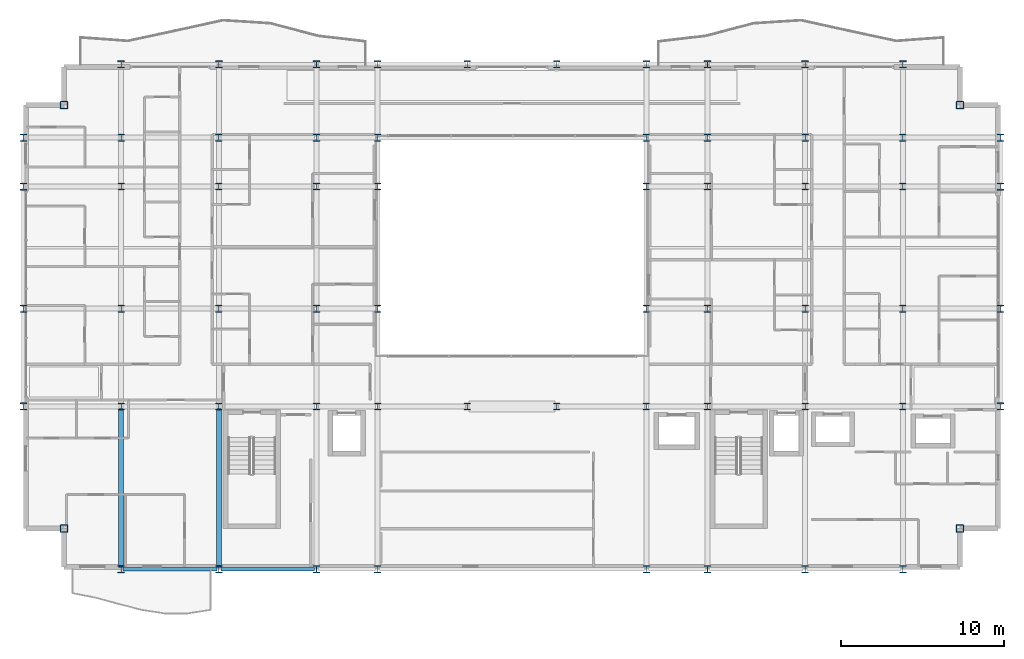
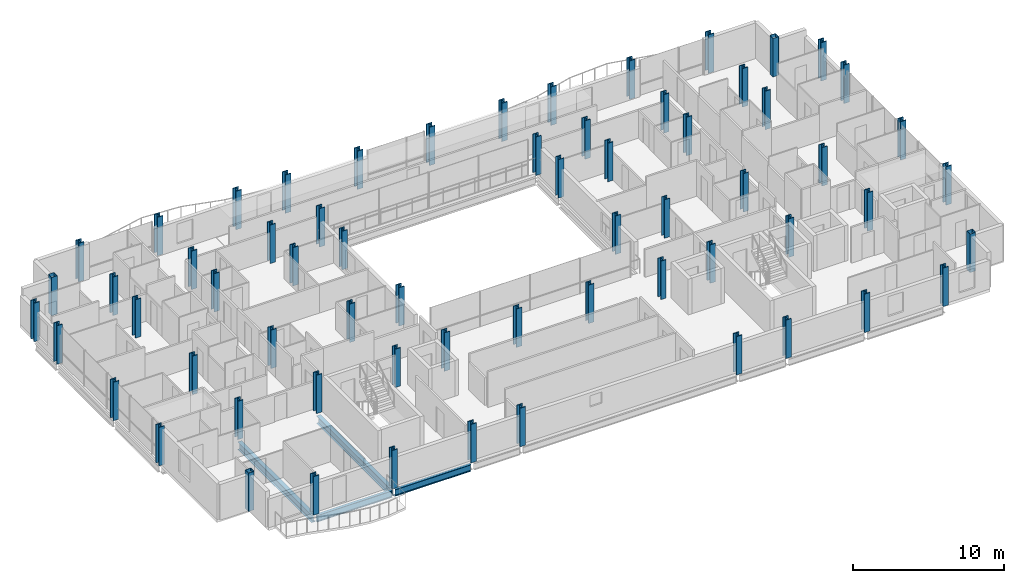
# One storey, part 1 of 41: 64 columns, 4 beams.
"""IFC4 building model written with IfcOpenShell, lengths in metres."""

import ifcopenshell
import ifcopenshell.guid

model = None  # the IFC model being written
_history = None  # IfcOwnerHistory: only IFC2X3 demands one
_inside = {}  # id of a spatial element -> (the spatial element, [elements in it])
_under = {}  # id of a project, library or spatial element -> (it, [spatial elements below it])
_declared = {}  # id of a project -> (the project, [libraries it declares])
_typed = {}  # id of a type object -> (the type object, [elements of that type])
_made_of = {}  # id of a material, layer set ... -> (it, [elements and type objects made of it])


def new_model(schema):
    """Start an empty IFC model of exactly this schema.

    Asked for "IFC4X3", IfcOpenShell would pick the latest addendum, in which some entities
    have other attributes; the version numbers below select the first issue.
    IFC2X3 requires an IfcOwnerHistory on every rooted entity: one is made here for all.
    """
    global model, _history
    if schema == "IFC4X3":
        model = ifcopenshell.file(schema_version=(4, 3, 0, 0))
    else:
        model = ifcopenshell.file(schema=schema)
    _inside.clear()
    _under.clear()
    _declared.clear()
    _typed.clear()
    _made_of.clear()
    _history = None
    if model.schema == "IFC2X3":
        org = make("IfcOrganization", Name="unknown")
        user = make(
            "IfcPersonAndOrganization",
            ThePerson=make("IfcPerson", FamilyName="unknown"),
            TheOrganization=org,
        )
        app = make(
            "IfcApplication",
            ApplicationDeveloper=org,
            Version="unknown",
            ApplicationFullName="unknown",
            ApplicationIdentifier="unknown",
        )
        _history = make(
            "IfcOwnerHistory",
            OwningUser=user,
            OwningApplication=app,
            ChangeAction="ADDED",
            CreationDate=0,
        )
    return model


def make(cls, **values):
    """One entity of the class cls with the attributes given. An attribute that is None is left unset."""
    return model.create_entity(
        cls, **{name: value for name, value in values.items() if value is not None}
    )


def rooted(cls, **values):
    """An entity with a GlobalId (a new one), such as an element, a storey or a relation."""
    return make(cls, GlobalId=ifcopenshell.guid.new(), OwnerHistory=_history, **values)


def si_unit(unit_type, name, prefix=None):
    """IfcSIUnit, for example si_unit("LENGTHUNIT", "METRE", prefix="MILLI")."""
    return make("IfcSIUnit", UnitType=unit_type, Prefix=prefix, Name=name)


def assignment(units):
    """IfcUnitAssignment: the units of a project."""
    return None if units is None else make("IfcUnitAssignment", Units=units)


def point(xyz):
    """IfcCartesianPoint."""
    return None if xyz is None else make("IfcCartesianPoint", Coordinates=xyz)


def direction(xyz):
    """IfcDirection."""
    return None if xyz is None else make("IfcDirection", DirectionRatios=xyz)


def frame(location, z_axis=None, x_axis=None):
    """IfcAxis2Placement3D, a coordinate frame: its origin and axes. An axis left out is left unset."""
    return make(
        "IfcAxis2Placement3D",
        Location=point(location),
        Axis=direction(z_axis),
        RefDirection=direction(x_axis),
    )


def frame_2d(location, x_axis=None):
    """IfcAxis2Placement2D, a coordinate frame in the plane: its origin and x axis."""
    return make(
        "IfcAxis2Placement2D", Location=point(location), RefDirection=direction(x_axis)
    )


def origin():
    """The frame at (0, 0, 0) with its axes left unset."""
    return frame((0.0, 0.0, 0.0))


def origin_2d():
    """The frame at (0, 0) in the plane with its x axis left unset."""
    return frame_2d((0.0, 0.0))


def place(relative_to, where):
    """IfcLocalPlacement: puts the frame where relative to a parent placement (None: the world)."""
    return make(
        "IfcLocalPlacement", PlacementRelTo=relative_to, RelativePlacement=where
    )


def context(
    kind, dimensions, precision=None, world=None, true_north=None, identifier=None
):
    """IfcGeometricRepresentationContext, for example the 3D "Model" context."""
    return make(
        "IfcGeometricRepresentationContext",
        ContextIdentifier=identifier,
        ContextType=kind,
        CoordinateSpaceDimension=dimensions,
        Precision=precision,
        WorldCoordinateSystem=world,
        TrueNorth=true_north,
    )


def subcontext(parent, identifier, kind, view, scale=None):
    """IfcGeometricRepresentationSubContext, for example "Body" below "Model"."""
    return make(
        "IfcGeometricRepresentationSubContext",
        ContextIdentifier=identifier,
        ContextType=kind,
        ParentContext=parent,
        TargetScale=scale,
        TargetView=view,
    )


def project(units=None, contexts=None):
    """IfcProject with its units and contexts."""
    return rooted(
        "IfcProject",
        Name="project",
        RepresentationContexts=contexts,
        UnitsInContext=assignment(units),
    )


def spatial(cls, under=None, at=None, **own):
    """A site, building, storey or space (cls), placed at a placement, below another one or the project."""
    s = rooted(cls, ObjectPlacement=at, **own)
    if under is not None:
        _under.setdefault(under.id(), (under, []))[1].append(s)
    return s


def profile(cls, at=None, kind="AREA", **sizes):
    """A parametric profile (cls). Its sizes go by their IFC names, for example OverallWidth=200.0."""
    return make(cls, ProfileType=kind, Position=at, **sizes)


def hollow_rectangle(**sizes):
    """IfcRectangleHollowProfileDef."""
    return profile("IfcRectangleHollowProfileDef", **sizes)


def i_section(**sizes):
    """IfcIShapeProfileDef."""
    return profile("IfcIShapeProfileDef", **sizes)


def extrude(swept, where, along, depth):
    """IfcExtrudedAreaSolid: the profile swept, set in the frame where, extruded along a direction by depth."""
    return make(
        "IfcExtrudedAreaSolid",
        SweptArea=swept,
        Position=where,
        ExtrudedDirection=direction(along),
        Depth=depth,
    )


def shape(context_of_items, identifier, shape_type, items):
    """IfcShapeRepresentation: the items that make up one representation, for example the "Body"."""
    return make(
        "IfcShapeRepresentation",
        ContextOfItems=context_of_items,
        RepresentationIdentifier=identifier,
        RepresentationType=shape_type,
        Items=items,
    )


def material(Name=None, Category=None):
    """IfcMaterial."""
    return make("IfcMaterial", Name=Name, Category=Category)


def material_profile(
    of_material, cross_section, Name=None, Category=None, Priority=None
):
    """IfcMaterialProfile: a cross section and its material."""
    return make(
        "IfcMaterialProfile",
        Name=Name,
        Material=of_material,
        Profile=cross_section,
        Priority=Priority,
        Category=Category,
    )


def profile_set(profiles, Name=None, composite=None):
    """IfcMaterialProfileSet."""
    return make(
        "IfcMaterialProfileSet",
        Name=Name,
        MaterialProfiles=profiles,
        CompositeProfile=composite,
    )


def made_of(thing, what):
    """Note that an element or type object is made of a material, layer set ...; save() writes the relation."""
    if what is not None:
        _made_of.setdefault(what.id(), (what, []))[1].append(thing)
    return thing


def type_object(cls, material=None, **own):
    """A type object (cls), such as IfcWallType, which elements share."""
    return made_of(rooted(cls, **own), material)


def element(
    cls,
    number,
    at=None,
    inside=None,
    cuts=None,
    type_object=None,
    material=None,
    context=None,
    identifier="Body",
    shape_type=None,
    held_by="IfcProductDefinitionShape",
    body=None,
    shapes=None,
    **own,
):
    """One element of the class cls, such as IfcWall. Its Tag is "e" and its number.

    at: its placement. inside: the storey or other place that contains it. cuts: it is an
    opening in that element (IfcRelVoidsElement). A single representation is given by context,
    identifier, shape_type and body (its items); several are given by shapes. held_by: the class
    of the entity that holds the representations. save() writes the other relations.
    """
    e = rooted(cls, Tag="e%d" % number, ObjectPlacement=at, **own)
    if body is not None:
        shapes = [shape(context, identifier, shape_type, body)]
    if shapes is not None:
        e.Representation = make(held_by, Representations=shapes)
    if inside is not None:
        _inside.setdefault(inside.id(), (inside, []))[1].append(e)
    if cuts is not None:
        rooted(
            "IfcRelVoidsElement", RelatingBuildingElement=cuts, RelatedOpeningElement=e
        )
    if type_object is not None:
        _typed.setdefault(type_object.id(), (type_object, []))[1].append(e)
    return made_of(e, material)


def aggregate(whole, parts):
    """IfcRelAggregates: a whole, such as a stair, and the parts it consists of."""
    return rooted("IfcRelAggregates", RelatingObject=whole, RelatedObjects=parts)


def save(model, path):
    """Write the relations noted so far, then the file.

    IfcRelAggregates (storeys below a building ...), IfcRelContainedInSpatialStructure (elements
    in a storey), IfcRelDefinesByType, IfcRelAssociatesMaterial and IfcRelDeclares: one each for
    every whole, place, type object, material and project.
    """
    for whole, parts in _under.values():
        aggregate(whole, parts)
    for where, things in _inside.values():
        rooted(
            "IfcRelContainedInSpatialStructure",
            RelatedElements=things,
            RelatingStructure=where,
        )
    for kind, things in _typed.values():
        rooted("IfcRelDefinesByType", RelatedObjects=things, RelatingType=kind)
    for what, things in _made_of.values():
        rooted("IfcRelAssociatesMaterial", RelatedObjects=things, RelatingMaterial=what)
    for by, libraries in _declared.values():
        rooted("IfcRelDeclares", RelatingContext=by, RelatedDefinitions=libraries)
    model.write(path)


model = new_model("IFC4")

# Units and contexts
model_context = context("Model", 3, precision=1e-05, world=origin(), true_north=direction((0.0, 1.0)))
body_context = subcontext(model_context, "Body", "Model", "MODEL_VIEW")
ifc_project = project(units=[si_unit("LENGTHUNIT", "METRE"), si_unit("AREAUNIT", "SQUARE_METRE"), si_unit("VOLUMEUNIT", "CUBIC_METRE"), si_unit("PLANEANGLEUNIT", "RADIAN"), si_unit("MASSUNIT", "GRAM", prefix="KILO")], contexts=[model_context])

# Site, building, storey
site_placement = place(None, origin())
site = spatial("IfcSite", under=ifc_project, at=site_placement, CompositionType="ELEMENT")
building_placement = place(site_placement, origin())
building = spatial("IfcBuilding", under=site, at=building_placement, Name="Brevholm Reach", CompositionType="ELEMENT")
storey_placement = place(building_placement, frame((0.0, 0.0, 86.89990234375)))
storey = spatial("IfcBuildingStorey", under=building, at=storey_placement, Name="L25", CompositionType="ELEMENT", Elevation=86.89990234375)

# Columns
ifc_material_1 = material(Name="Structural Steel S460NH", Category="steel")
ifc_material_profile_1 = material_profile(ifc_material_1, hollow_rectangle(XDim=0.449951171875, YDim=0.449951171875, WallThickness=0.02490234375, InnerFilletRadius=0.011962890625, OuterFilletRadius=0.02392578125, at=origin_2d()), Name="SHS 450x450x25")
ifc_profile_set_1 = profile_set([ifc_material_profile_1], Name="Structural Steel S460NH")
column_type_1 = type_object("IfcColumnType", Name="COL-SHS1", PredefinedType="COLUMN", material=ifc_profile_set_1)
for number, where, z_axis, x_axis, name in (
    (1, (2.5, 2.5, 0.0), (0.0, 0.0, 1.0), (1.0, 0.0, 0.0), "L25 Column 05"),
    (2, (2.5, 28.5, 0.0), (0.0, 0.0, 1.0), (1.0, 0.0, 0.0), "L25 Column 06"),
    (3, (57.5, 2.5, 0.0), (0.0, 0.0, 1.0), (1.0, 0.0, 0.0), "L25 Column 59"),
    (4, (57.5, 28.5, 0.0), (0.0, 0.0, 1.0), (1.0, 0.0, 0.0), "L25 Column 60"),
):
    element("IfcColumn", number, at=place(storey_placement, frame(where, z_axis=z_axis, x_axis=x_axis)), inside=storey, type_object=column_type_1, Name=name, PredefinedType="COLUMN", context=body_context, shape_type="SweptSolid", body=[
        extrude(hollow_rectangle(XDim=0.449951171875, YDim=0.449951171875, WallThickness=0.02490234375, InnerFilletRadius=0.011962890625, OuterFilletRadius=0.02392578125, at=origin_2d()), origin(), (0.0, 0.0, 1.0), 3.10009765625),
    ])
ifc_material_2 = material(Name="Structural Steel S460ML", Category="steel")
ifc_material_profile_2 = material_profile(ifc_material_2, i_section(OverallWidth=0.41845703125, OverallDepth=0.45556640625, WebThickness=0.0419921875, FlangeThickness=0.0673828125, FilletRadius=0.01513671875, at=origin_2d()), Name="UKC 356x406x551")
ifc_profile_set_2 = profile_set([ifc_material_profile_2], Name="Structural Steel S460ML")
column_type_2 = type_object("IfcColumnType", Name="COL-UC2", PredefinedType="COLUMN", material=ifc_profile_set_2)
for number, where, z_axis, x_axis, name in (
    (5, (0.0, 10.0, 0.0), (0.0, 0.0, 1.0), (1.0, 0.0, 0.0), "L25 Column 01"),
    (6, (0.0, 16.0, 0.0), (0.0, 0.0, 1.0), (1.0, 0.0, 0.0), "L25 Column 02"),
    (7, (0.0, 23.5, 0.0), (0.0, 0.0, 1.0), (1.0, 0.0, 0.0), "L25 Column 03"),
    (8, (0.0, 26.5, 0.0), (0.0, 0.0, 1.0), (1.0, 0.0, 0.0), "L25 Column 04"),
    (9, (6.0, 0.0, 0.0), (0.0, 0.0, 1.0), (1.0, 0.0, 0.0), "L25 Column 07"),
    (10, (6.0, 31.0, 0.0), (0.0, 0.0, 1.0), (1.0, 0.0, 0.0), "L25 Column 12"),
    (11, (12.0, 0.0, 0.0), (0.0, 0.0, 1.0), (1.0, 0.0, 0.0), "L25 Column 13"),
    (12, (12.0, 31.0, 0.0), (0.0, 0.0, 1.0), (1.0, 0.0, 0.0), "L25 Column 18"),
    (13, (18.0, 0.0, 0.0), (0.0, 0.0, 1.0), (1.0, 0.0, 0.0), "L25 Column 19"),
    (14, (18.0, 31.0, 0.0), (0.0, 0.0, 1.0), (1.0, 0.0, 0.0), "L25 Column 24"),
    (15, (21.75, 0.0, 0.0), (0.0, 0.0, 1.0), (1.0, 0.0, 0.0), "L25 Column 25"),
    (16, (21.75, 31.0, 0.0), (0.0, 0.0, 1.0), (1.0, 0.0, 0.0), "L25 Column 30"),
    (17, (27.25, 31.0, 0.0), (0.0, 0.0, 1.0), (1.0, 0.0, 0.0), "L25 Column 32"),
    (18, (32.75, 31.0, 0.0), (0.0, 0.0, 1.0), (1.0, 0.0, 0.0), "L25 Column 34"),
    (19, (38.25, 0.0, 0.0), (0.0, 0.0, 1.0), (1.0, 0.0, 0.0), "L25 Column 35"),
    (20, (38.25, 31.0, 0.0), (0.0, 0.0, 1.0), (1.0, 0.0, 0.0), "L25 Column 40"),
    (21, (42.0, 0.0, 0.0), (0.0, 0.0, 1.0), (1.0, 0.0, 0.0), "L25 Column 41"),
    (22, (42.0, 31.0, 0.0), (0.0, 0.0, 1.0), (1.0, 0.0, 0.0), "L25 Column 46"),
    (23, (48.0, 0.0, 0.0), (0.0, 0.0, 1.0), (1.0, 0.0, 0.0), "L25 Column 47"),
    (24, (48.0, 31.0, 0.0), (0.0, 0.0, 1.0), (1.0, 0.0, 0.0), "L25 Column 52"),
    (25, (54.0, 0.0, 0.0), (0.0, 0.0, 1.0), (1.0, 0.0, 0.0), "L25 Column 53"),
    (26, (54.0, 31.0, 0.0), (0.0, 0.0, 1.0), (1.0, 0.0, 0.0), "L25 Column 58"),
    (27, (60.0, 10.0, 0.0), (0.0, 0.0, 1.0), (1.0, 0.0, 0.0), "L25 Column 61"),
    (28, (60.0, 16.0, 0.0), (0.0, 0.0, 1.0), (1.0, 0.0, 0.0), "L25 Column 62"),
    (29, (60.0, 23.5, 0.0), (0.0, 0.0, 1.0), (1.0, 0.0, 0.0), "L25 Column 63"),
    (30, (60.0, 26.5, 0.0), (0.0, 0.0, 1.0), (1.0, 0.0, 0.0), "L25 Column 64"),
):
    element("IfcColumn", number, at=place(storey_placement, frame(where, z_axis=z_axis, x_axis=x_axis)), inside=storey, type_object=column_type_2, Name=name, PredefinedType="COLUMN", context=body_context, shape_type="SweptSolid", body=[
        extrude(i_section(OverallWidth=0.41845703125, OverallDepth=0.45556640625, WebThickness=0.0419921875, FlangeThickness=0.0673828125, FilletRadius=0.01513671875, at=origin_2d()), origin(), (0.0, 0.0, 1.0), 3.10009765625),
    ])
ifc_material_3 = material(Name="Structural Steel S460ML", Category="steel")
ifc_material_profile_3 = material_profile(ifc_material_3, i_section(OverallWidth=0.412109375, OverallDepth=0.4365234375, WebThickness=0.035888671875, FlangeThickness=0.05810546875, FilletRadius=0.01513671875, at=origin_2d()), Name="UKC 356x406x467")
ifc_profile_set_3 = profile_set([ifc_material_profile_3], Name="Structural Steel S460ML")
column_type_3 = type_object("IfcColumnType", Name="COL-UC3", PredefinedType="COLUMN", material=ifc_profile_set_3)
for number, where, z_axis, x_axis, name in (
    (31, (6.0, 10.0, 0.0), (0.0, 0.0, 1.0), (1.0, 0.0, 0.0), "L25 Column 08"),
    (32, (6.0, 16.0, 0.0), (0.0, 0.0, 1.0), (1.0, 0.0, 0.0), "L25 Column 09"),
    (33, (6.0, 23.5, 0.0), (0.0, 0.0, 1.0), (1.0, 0.0, 0.0), "L25 Column 10"),
    (34, (6.0, 26.5, 0.0), (0.0, 0.0, 1.0), (1.0, 0.0, 0.0), "L25 Column 11"),
    (35, (12.0, 10.0, 0.0), (0.0, 0.0, 1.0), (1.0, 0.0, 0.0), "L25 Column 14"),
    (36, (12.0, 16.0, 0.0), (0.0, 0.0, 1.0), (1.0, 0.0, 0.0), "L25 Column 15"),
    (37, (12.0, 23.5, 0.0), (0.0, 0.0, 1.0), (1.0, 0.0, 0.0), "L25 Column 16"),
    (38, (12.0, 26.5, 0.0), (0.0, 0.0, 1.0), (1.0, 0.0, 0.0), "L25 Column 17"),
    (39, (18.0, 10.0, 0.0), (0.0, 0.0, 1.0), (1.0, 0.0, 0.0), "L25 Column 20"),
    (40, (18.0, 16.0, 0.0), (0.0, 0.0, 1.0), (1.0, 0.0, 0.0), "L25 Column 21"),
    (41, (18.0, 23.5, 0.0), (0.0, 0.0, 1.0), (1.0, 0.0, 0.0), "L25 Column 22"),
    (42, (18.0, 26.5, 0.0), (0.0, 0.0, 1.0), (1.0, 0.0, 0.0), "L25 Column 23"),
    (43, (21.75, 10.0, 0.0), (0.0, 0.0, 1.0), (1.0, 0.0, 0.0), "L25 Column 26"),
    (44, (21.75, 16.0, 0.0), (0.0, 0.0, 1.0), (1.0, 0.0, 0.0), "L25 Column 27"),
    (45, (21.75, 23.5, 0.0), (0.0, 0.0, 1.0), (1.0, 0.0, 0.0), "L25 Column 28"),
    (46, (21.75, 26.5, 0.0), (0.0, 0.0, 1.0), (1.0, 0.0, 0.0), "L25 Column 29"),
    (47, (27.25, 10.0, 0.0), (0.0, 0.0, 1.0), (1.0, 0.0, 0.0), "L25 Column 31"),
    (48, (32.75, 10.0, 0.0), (0.0, 0.0, 1.0), (1.0, 0.0, 0.0), "L25 Column 33"),
    (49, (38.25, 10.0, 0.0), (0.0, 0.0, 1.0), (1.0, 0.0, 0.0), "L25 Column 36"),
    (50, (38.25, 16.0, 0.0), (0.0, 0.0, 1.0), (1.0, 0.0, 0.0), "L25 Column 37"),
    (51, (38.25, 23.5, 0.0), (0.0, 0.0, 1.0), (1.0, 0.0, 0.0), "L25 Column 38"),
    (52, (38.25, 26.5, 0.0), (0.0, 0.0, 1.0), (1.0, 0.0, 0.0), "L25 Column 39"),
    (53, (42.0, 10.0, 0.0), (0.0, 0.0, 1.0), (1.0, 0.0, 0.0), "L25 Column 42"),
    (54, (42.0, 16.0, 0.0), (0.0, 0.0, 1.0), (1.0, 0.0, 0.0), "L25 Column 43"),
    (55, (42.0, 23.5, 0.0), (0.0, 0.0, 1.0), (1.0, 0.0, 0.0), "L25 Column 44"),
    (56, (42.0, 26.5, 0.0), (0.0, 0.0, 1.0), (1.0, 0.0, 0.0), "L25 Column 45"),
    (57, (48.0, 10.0, 0.0), (0.0, 0.0, 1.0), (1.0, 0.0, 0.0), "L25 Column 48"),
    (58, (48.0, 16.0, 0.0), (0.0, 0.0, 1.0), (1.0, 0.0, 0.0), "L25 Column 49"),
    (59, (48.0, 23.5, 0.0), (0.0, 0.0, 1.0), (1.0, 0.0, 0.0), "L25 Column 50"),
    (60, (48.0, 26.5, 0.0), (0.0, 0.0, 1.0), (1.0, 0.0, 0.0), "L25 Column 51"),
    (61, (54.0, 10.0, 0.0), (0.0, 0.0, 1.0), (1.0, 0.0, 0.0), "L25 Column 54"),
    (62, (54.0, 16.0, 0.0), (0.0, 0.0, 1.0), (1.0, 0.0, 0.0), "L25 Column 55"),
    (63, (54.0, 23.5, 0.0), (0.0, 0.0, 1.0), (1.0, 0.0, 0.0), "L25 Column 56"),
    (64, (54.0, 26.5, 0.0), (0.0, 0.0, 1.0), (1.0, 0.0, 0.0), "L25 Column 57"),
):
    element("IfcColumn", number, at=place(storey_placement, frame(where, z_axis=z_axis, x_axis=x_axis)), inside=storey, type_object=column_type_3, Name=name, PredefinedType="COLUMN", context=body_context, shape_type="SweptSolid", body=[
        extrude(i_section(OverallWidth=0.412109375, OverallDepth=0.4365234375, WebThickness=0.035888671875, FlangeThickness=0.05810546875, FilletRadius=0.01513671875, at=origin_2d()), origin(), (0.0, 0.0, 1.0), 3.10009765625),
    ])

# Beams
ifc_material_4 = material(Name="Structural Steel S355J2", Category="steel")
ifc_material_profile_4 = material_profile(ifc_material_4, i_section(OverallWidth=0.210693359375, OverallDepth=0.53955078125, WebThickness=0.01171875, FlangeThickness=0.018798828125, FilletRadius=0.0126953125, at=origin_2d()), Name="UKB 533x210x109")
ifc_profile_set_4 = profile_set([ifc_material_profile_4], Name="Structural Steel S355J2")
beam_type_1 = type_object("IfcBeamType", Name="BM-SP539", PredefinedType="SPANDREL", material=ifc_profile_set_4)
for number, where, z_axis, x_axis, name in (
    (65, (6.1201171875, 0.0, -0.499755859375), (1.0, 0.0, 0.0), (0.0, 1.0, 0.0), "L25 SP-01B Framing Beam"),
    (66, (12.1201171875, 0.0, -0.499755859375), (1.0, 0.0, 0.0), (0.0, 1.0, 0.0), "L25 SP-01B Framing Beam"),
):
    element("IfcBeam", number, at=place(storey_placement, frame(where, z_axis=z_axis, x_axis=x_axis)), inside=storey, type_object=beam_type_1, Name=name, PredefinedType="SPANDREL", context=body_context, shape_type="SweptSolid", body=[
        extrude(i_section(OverallWidth=0.210693359375, OverallDepth=0.53955078125, WebThickness=0.01171875, FlangeThickness=0.018798828125, FilletRadius=0.0126953125, at=origin_2d()), origin(), (0.0, 0.0, 1.0), 5.759765625),
    ])
ifc_material_5 = material(Name="Structural Steel S355J2", Category="steel")
ifc_material_profile_5 = material_profile(ifc_material_5, i_section(OverallWidth=0.30712890625, OverallDepth=0.6201171875, WebThickness=0.01416015625, FlangeThickness=0.023681640625, FilletRadius=0.0166015625, at=origin_2d()), Name="UKB 610x305x179")
ifc_profile_set_5 = profile_set([ifc_material_profile_5], Name="Structural Steel S355J2")
beam_type_2 = type_object("IfcBeamType", Name="BM-UKB610H", PredefinedType="USERDEFINED", material=ifc_profile_set_5)
for number, where, z_axis, x_axis, name in (
    (67, (6.0, 0.1201171875, -0.5400390625), (0.0, 1.0, 0.0), (-1.0, 0.0, 0.0), "L25 G-06 Framing Beam"),
    (68, (12.0, 0.1201171875, -0.5400390625), (0.0, 1.0, 0.0), (-1.0, 0.0, 0.0), "L25 G-06 Framing Beam"),
):
    element("IfcBeam", number, at=place(storey_placement, frame(where, z_axis=z_axis, x_axis=x_axis)), inside=storey, type_object=beam_type_2, Name=name, ObjectType="GIRDER", PredefinedType="USERDEFINED", context=body_context, shape_type="SweptSolid", body=[
        extrude(i_section(OverallWidth=0.30712890625, OverallDepth=0.6201171875, WebThickness=0.01416015625, FlangeThickness=0.023681640625, FilletRadius=0.0166015625, at=origin_2d()), origin(), (0.0, 0.0, 1.0), 9.759765625),
    ])

save(model, "model.ifc")
